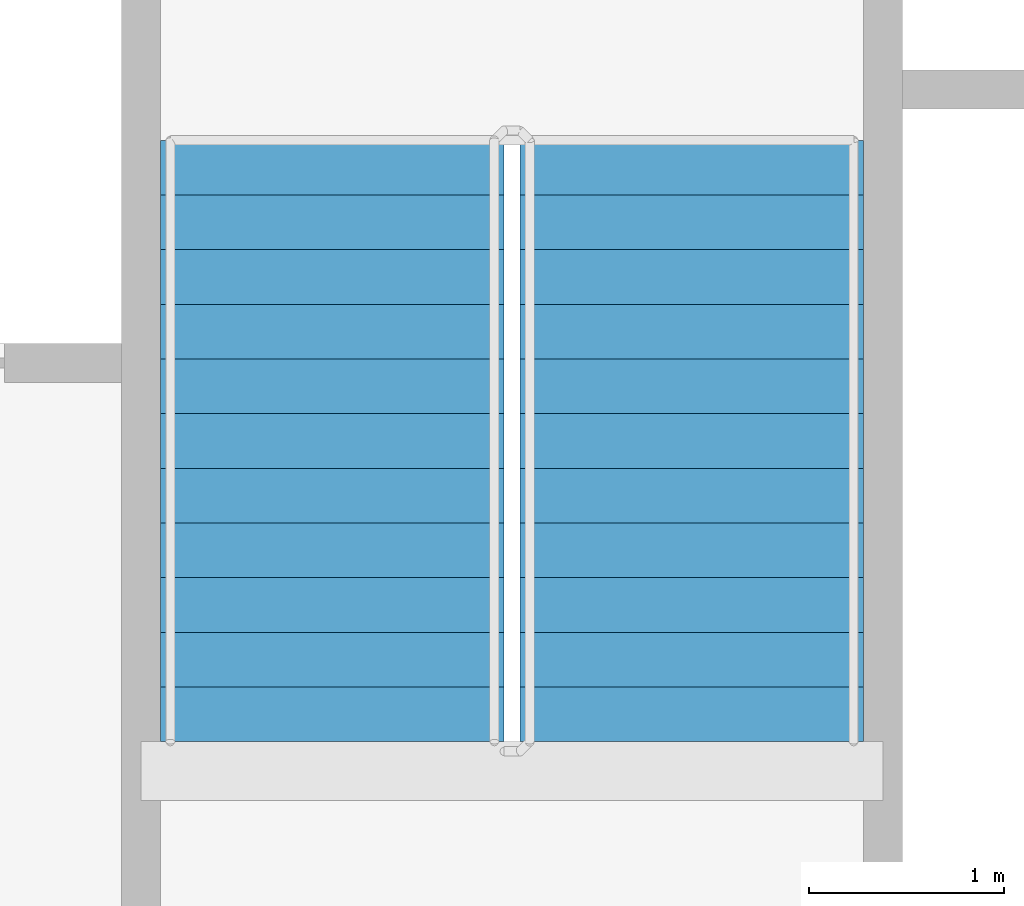
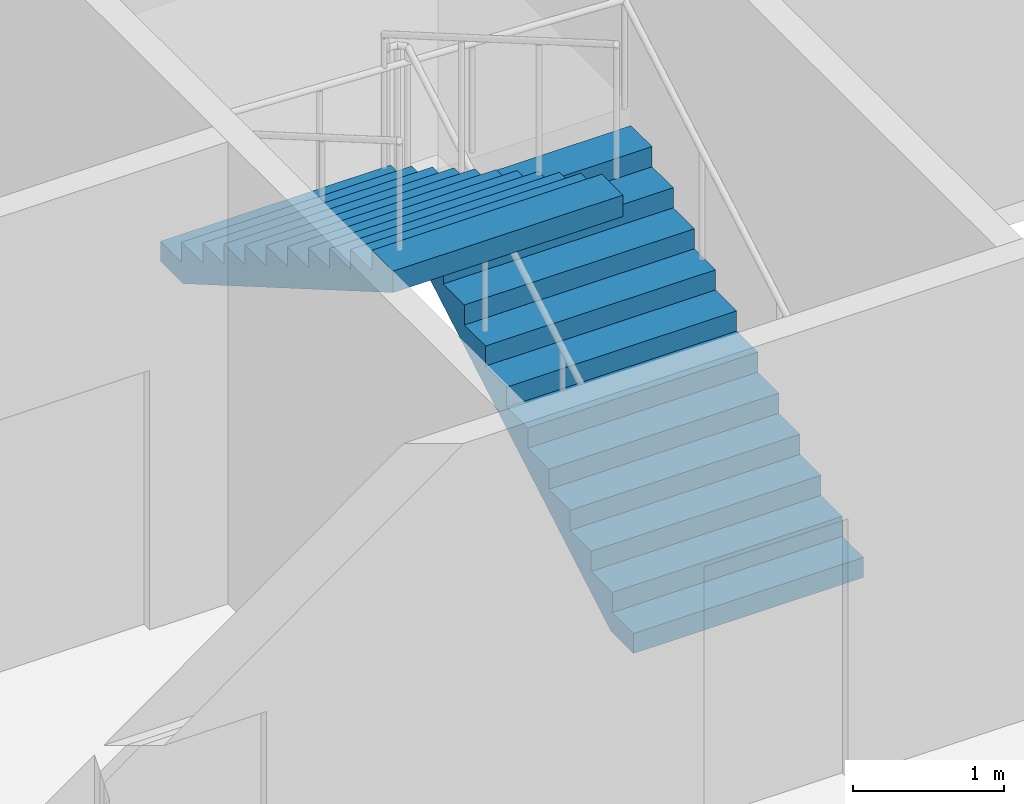
# One storey, part 17 of 22: 2 stair flights, 1 element without a shape of its own.
"""IFC4 building model written with IfcOpenShell, lengths in metres."""

from ifc_helpers import new_model, si_unit, direction, frame, origin, place, context, subcontext, project, spatial, faceted_brep, material, type_object, element, aggregate, save


model = new_model("IFC4")

# Units and contexts
model_context = context("Model", 3, precision=1e-05, world=origin(), true_north=direction((0.0, 1.0)))
body_context = subcontext(model_context, "Body", "Model", "MODEL_VIEW")
ifc_project = project(units=[si_unit("LENGTHUNIT", "METRE"), si_unit("AREAUNIT", "SQUARE_METRE"), si_unit("VOLUMEUNIT", "CUBIC_METRE"), si_unit("PLANEANGLEUNIT", "RADIAN"), si_unit("MASSUNIT", "GRAM", prefix="KILO")], contexts=[model_context])

# Site, building, storey
site_placement = place(None, origin())
site = spatial("IfcSite", under=ifc_project, at=site_placement, CompositionType="ELEMENT")
building_placement = place(site_placement, origin())
building = spatial("IfcBuilding", under=site, at=building_placement, Name="Tarsis Ring Headquarters", CompositionType="ELEMENT")
storey_placement = place(building_placement, frame((0.0, 0.0, 270.800048828125)))
storey = spatial("IfcBuildingStorey", under=building, at=storey_placement, Name="L63", CompositionType="ELEMENT", Elevation=270.800048828125)

# Stair, stair flights
ifc_material_1 = material(Name="Core stair 1760")
stair_type = type_object("IfcStairType", Name="Core stair 1760", PredefinedType="HALF_TURN_STAIR", material=ifc_material_1)
stair_placement = place(storey_placement, origin())
stair = element("IfcStair", 1, at=stair_placement, inside=storey, type_object=stair_type, Name="L63 Exit stair B", PredefinedType="HALF_TURN_STAIR")
ifc_material_2 = material(Name="Concrete C40/50", Category="concrete")
stair_flight_type = type_object("IfcStairFlightType", Name="Core stair flight 1760", PredefinedType="STRAIGHT", material=ifc_material_2)
stair_flight_1_placement = place(storey_placement, frame((5.419921875, 3.659912109375, 0.0), z_axis=(0.0, 0.0, 1.0), x_axis=(0.0, 1.0, 0.0)))
stair_flight_1 = element("IfcStairFlight", 2, at=stair_flight_1_placement, type_object=stair_flight_type, Name="Stair ST2 flight 1", NumberOfRisers=12, NumberOfTreads=11, PredefinedType="STRAIGHT", RiserHeight=0.1625, TreadLength=0.28, context=body_context, shape_type="Brep", body=[
    faceted_brep([(0.0, 0.8798828125, 0.0), (0.0, 0.8798828125, 0.16259765625), (0.280029296875, 0.8798828125, 0.16259765625), (0.280029296875, 0.8798828125, 0.324951171875), (0.56005859375, 0.8798828125, 0.324951171875), (0.56005859375, 0.8798828125, 0.487548828125), (0.840087890625, 0.8798828125, 0.487548828125), (0.840087890625, 0.8798828125, 0.64990234375), (1.1201171875, 0.8798828125, 0.64990234375), (1.1201171875, 0.8798828125, 0.8125), (1.39990234375, 0.8798828125, 0.8125), (1.39990234375, 0.8798828125, 0.97509765625), (1.679931640625, 0.8798828125, 0.97509765625), (1.679931640625, 0.8798828125, 1.137451171875), (1.9599609375, 0.8798828125, 1.137451171875), (1.9599609375, 0.8798828125, 1.300048828125), (2.239990234375, 0.8798828125, 1.300048828125), (2.239990234375, 0.8798828125, 1.46240234375), (2.52001953125, 0.8798828125, 1.46240234375), (2.52001953125, 0.8798828125, 1.625), (2.800048828125, 0.8798828125, 1.625), (2.800048828125, 0.8798828125, 1.78759765625), (3.080078125, 0.8798828125, 1.78759765625), (3.080078125, 0.8798828125, 1.6142578125), (0.298583984375, 0.8798828125, 0.0), (0.298583984375, -0.8798828125, 0.0), (3.080078125, -0.8798828125, 1.6142578125), (3.080078125, -0.8798828125, 1.78759765625), (2.800048828125, -0.8798828125, 1.78759765625), (2.800048828125, -0.8798828125, 1.625), (2.52001953125, -0.8798828125, 1.625), (2.52001953125, -0.8798828125, 1.46240234375), (2.239990234375, -0.8798828125, 1.46240234375), (2.239990234375, -0.8798828125, 1.300048828125), (1.9599609375, -0.8798828125, 1.300048828125), (1.9599609375, -0.8798828125, 1.137451171875), (1.679931640625, -0.8798828125, 1.137451171875), (1.679931640625, -0.8798828125, 0.97509765625), (1.39990234375, -0.8798828125, 0.97509765625), (1.39990234375, -0.8798828125, 0.8125), (1.1201171875, -0.8798828125, 0.8125), (1.1201171875, -0.8798828125, 0.64990234375), (0.840087890625, -0.8798828125, 0.64990234375), (0.840087890625, -0.8798828125, 0.487548828125), (0.56005859375, -0.8798828125, 0.487548828125), (0.56005859375, -0.8798828125, 0.324951171875), (0.280029296875, -0.8798828125, 0.324951171875), (0.280029296875, -0.8798828125, 0.16259765625), (0.0, -0.8798828125, 0.16259765625), (0.0, -0.8798828125, 0.0), (0.0, -0.43994140625, 0.16259765625), (0.0, -0.43994140625, 0.0), (0.0, 0.0, 0.16259765625), (0.0, 0.0, 0.0), (0.0, 0.43994140625, 0.16259765625), (0.0, 0.43994140625, 0.0), (0.280029296875, -0.43994140625, 0.16259765625), (0.280029296875, 0.0, 0.16259765625), (0.280029296875, 0.43994140625, 0.16259765625), (0.280029296875, -0.43994140625, 0.324951171875), (0.280029296875, 0.0, 0.324951171875), (0.280029296875, 0.43994140625, 0.324951171875), (0.56005859375, -0.43994140625, 0.324951171875), (0.56005859375, 0.0, 0.324951171875), (0.56005859375, 0.43994140625, 0.324951171875), (0.56005859375, -0.43994140625, 0.487548828125), (0.56005859375, 0.0, 0.487548828125), (0.56005859375, 0.43994140625, 0.487548828125), (0.840087890625, -0.43994140625, 0.487548828125), (0.840087890625, 0.0, 0.487548828125), (0.840087890625, 0.43994140625, 0.487548828125), (0.840087890625, -0.43994140625, 0.64990234375), (0.840087890625, 0.0, 0.64990234375), (0.840087890625, 0.43994140625, 0.64990234375), (1.1201171875, -0.43994140625, 0.64990234375), (1.1201171875, 0.0, 0.64990234375), (1.1201171875, 0.43994140625, 0.64990234375), (1.1201171875, -0.43994140625, 0.8125), (1.1201171875, 0.0, 0.8125), (1.1201171875, 0.43994140625, 0.8125), (1.39990234375, -0.43994140625, 0.8125), (1.39990234375, 0.0, 0.8125), (1.39990234375, 0.43994140625, 0.8125), (1.39990234375, -0.43994140625, 0.97509765625), (1.39990234375, 0.0, 0.97509765625), (1.39990234375, 0.43994140625, 0.97509765625), (1.679931640625, -0.43994140625, 0.97509765625), (1.679931640625, 0.0, 0.97509765625), (1.679931640625, 0.43994140625, 0.97509765625), (1.679931640625, -0.43994140625, 1.137451171875), (1.679931640625, 0.0, 1.137451171875), (1.679931640625, 0.43994140625, 1.137451171875), (1.9599609375, -0.43994140625, 1.137451171875), (1.9599609375, 0.0, 1.137451171875), (1.9599609375, 0.43994140625, 1.137451171875), (1.9599609375, -0.43994140625, 1.300048828125), (1.9599609375, 0.0, 1.300048828125), (1.9599609375, 0.43994140625, 1.300048828125), (2.239990234375, -0.43994140625, 1.300048828125), (2.239990234375, 0.0, 1.300048828125), (2.239990234375, 0.43994140625, 1.300048828125), (2.239990234375, -0.43994140625, 1.46240234375), (2.239990234375, 0.0, 1.46240234375), (2.239990234375, 0.43994140625, 1.46240234375), (2.52001953125, -0.43994140625, 1.46240234375), (2.52001953125, 0.0, 1.46240234375), (2.52001953125, 0.43994140625, 1.46240234375), (2.52001953125, -0.43994140625, 1.625), (2.52001953125, 0.0, 1.625), (2.52001953125, 0.43994140625, 1.625), (2.800048828125, -0.43994140625, 1.625), (2.800048828125, 0.0, 1.625), (2.800048828125, 0.43994140625, 1.625), (2.800048828125, -0.43994140625, 1.78759765625), (2.800048828125, 0.0, 1.78759765625), (2.800048828125, 0.43994140625, 1.78759765625), (3.080078125, -0.43994140625, 1.78759765625), (3.080078125, 0.0, 1.78759765625), (3.080078125, 0.43994140625, 1.78759765625), (3.080078125, -0.43994140625, 1.6142578125), (3.080078125, 0.0, 1.6142578125), (3.080078125, 0.43994140625, 1.6142578125), (0.298583984375, -0.43994140625, 0.0), (0.298583984375, 0.0, 0.0), (0.298583984375, 0.43994140625, 0.0)], [[[0, 1, 2, 3, 4, 5, 6, 7, 8, 9, 10, 11, 12, 13, 14, 15, 16, 17, 18, 19, 20, 21, 22, 23, 24]], [[25, 26, 27, 28, 29, 30, 31, 32, 33, 34, 35, 36, 37, 38, 39, 40, 41, 42, 43, 44, 45, 46, 47, 48, 49]], [[49, 48, 50, 51]], [[51, 50, 52, 53]], [[53, 52, 54, 55]], [[55, 54, 1, 0]], [[48, 47, 56, 50]], [[50, 56, 57, 52]], [[52, 57, 58, 54]], [[54, 58, 2, 1]], [[47, 46, 59, 56]], [[56, 59, 60, 57]], [[57, 60, 61, 58]], [[58, 61, 3, 2]], [[46, 45, 62, 59]], [[59, 62, 63, 60]], [[60, 63, 64, 61]], [[61, 64, 4, 3]], [[45, 44, 65, 62]], [[62, 65, 66, 63]], [[63, 66, 67, 64]], [[64, 67, 5, 4]], [[44, 43, 68, 65]], [[65, 68, 69, 66]], [[66, 69, 70, 67]], [[67, 70, 6, 5]], [[43, 42, 71, 68]], [[68, 71, 72, 69]], [[69, 72, 73, 70]], [[70, 73, 7, 6]], [[42, 41, 74, 71]], [[71, 74, 75, 72]], [[72, 75, 76, 73]], [[73, 76, 8, 7]], [[41, 40, 77, 74]], [[74, 77, 78, 75]], [[75, 78, 79, 76]], [[76, 79, 9, 8]], [[40, 39, 80, 77]], [[77, 80, 81, 78]], [[78, 81, 82, 79]], [[79, 82, 10, 9]], [[39, 38, 83, 80]], [[80, 83, 84, 81]], [[81, 84, 85, 82]], [[82, 85, 11, 10]], [[38, 37, 86, 83]], [[83, 86, 87, 84]], [[84, 87, 88, 85]], [[85, 88, 12, 11]], [[37, 36, 89, 86]], [[86, 89, 90, 87]], [[87, 90, 91, 88]], [[88, 91, 13, 12]], [[36, 35, 92, 89]], [[89, 92, 93, 90]], [[90, 93, 94, 91]], [[91, 94, 14, 13]], [[35, 34, 95, 92]], [[92, 95, 96, 93]], [[93, 96, 97, 94]], [[94, 97, 15, 14]], [[34, 33, 98, 95]], [[95, 98, 99, 96]], [[96, 99, 100, 97]], [[97, 100, 16, 15]], [[33, 32, 101, 98]], [[98, 101, 102, 99]], [[99, 102, 103, 100]], [[100, 103, 17, 16]], [[32, 31, 104, 101]], [[101, 104, 105, 102]], [[102, 105, 106, 103]], [[103, 106, 18, 17]], [[31, 30, 107, 104]], [[104, 107, 108, 105]], [[105, 108, 109, 106]], [[106, 109, 19, 18]], [[30, 29, 110, 107]], [[107, 110, 111, 108]], [[108, 111, 112, 109]], [[109, 112, 20, 19]], [[29, 28, 113, 110]], [[110, 113, 114, 111]], [[111, 114, 115, 112]], [[112, 115, 21, 20]], [[28, 27, 116, 113]], [[113, 116, 117, 114]], [[114, 117, 118, 115]], [[115, 118, 22, 21]], [[27, 26, 119, 116]], [[116, 119, 120, 117]], [[117, 120, 121, 118]], [[118, 121, 23, 22]], [[26, 25, 122, 119]], [[119, 122, 123, 120]], [[120, 123, 124, 121]], [[121, 124, 24, 23]], [[25, 49, 51, 122]], [[122, 51, 53, 123]], [[123, 53, 55, 124]], [[124, 55, 0, 24]]]),
])
stair_flight_2_placement = place(storey_placement, frame((3.580078125, 6.739990234375, 1.949951171875), z_axis=(0.0, 0.0, 1.0), x_axis=(0.0, -1.0, 0.0)))
stair_flight_2 = element("IfcStairFlight", 3, at=stair_flight_2_placement, type_object=stair_flight_type, Name="Stair ST2 flight 2", NumberOfRisers=12, NumberOfTreads=11, PredefinedType="STRAIGHT", RiserHeight=0.1625, TreadLength=0.28, context=body_context, shape_type="Brep", body=[
    faceted_brep([(0.0, 0.8798828125, 0.0), (0.0, 0.8798828125, 0.16259765625), (0.280029296875, 0.8798828125, 0.16259765625), (0.280029296875, 0.8798828125, 0.324951171875), (0.56005859375, 0.8798828125, 0.324951171875), (0.56005859375, 0.8798828125, 0.487548828125), (0.840087890625, 0.8798828125, 0.487548828125), (0.840087890625, 0.8798828125, 0.64990234375), (1.1201171875, 0.8798828125, 0.64990234375), (1.1201171875, 0.8798828125, 0.8125), (1.39990234375, 0.8798828125, 0.8125), (1.39990234375, 0.8798828125, 0.97509765625), (1.679931640625, 0.8798828125, 0.97509765625), (1.679931640625, 0.8798828125, 1.137451171875), (1.9599609375, 0.8798828125, 1.137451171875), (1.9599609375, 0.8798828125, 1.300048828125), (2.239990234375, 0.8798828125, 1.300048828125), (2.239990234375, 0.8798828125, 1.46240234375), (2.52001953125, 0.8798828125, 1.46240234375), (2.52001953125, 0.8798828125, 1.625), (2.800048828125, 0.8798828125, 1.625), (2.800048828125, 0.8798828125, 1.78759765625), (3.080078125, 0.8798828125, 1.78759765625), (3.080078125, 0.8798828125, 1.6142578125), (0.298583984375, 0.8798828125, 0.0), (0.298583984375, -0.8798828125, 0.0), (3.080078125, -0.8798828125, 1.6142578125), (3.080078125, -0.8798828125, 1.78759765625), (2.800048828125, -0.8798828125, 1.78759765625), (2.800048828125, -0.8798828125, 1.625), (2.52001953125, -0.8798828125, 1.625), (2.52001953125, -0.8798828125, 1.46240234375), (2.239990234375, -0.8798828125, 1.46240234375), (2.239990234375, -0.8798828125, 1.300048828125), (1.9599609375, -0.8798828125, 1.300048828125), (1.9599609375, -0.8798828125, 1.137451171875), (1.679931640625, -0.8798828125, 1.137451171875), (1.679931640625, -0.8798828125, 0.97509765625), (1.39990234375, -0.8798828125, 0.97509765625), (1.39990234375, -0.8798828125, 0.8125), (1.1201171875, -0.8798828125, 0.8125), (1.1201171875, -0.8798828125, 0.64990234375), (0.840087890625, -0.8798828125, 0.64990234375), (0.840087890625, -0.8798828125, 0.487548828125), (0.56005859375, -0.8798828125, 0.487548828125), (0.56005859375, -0.8798828125, 0.324951171875), (0.280029296875, -0.8798828125, 0.324951171875), (0.280029296875, -0.8798828125, 0.16259765625), (0.0, -0.8798828125, 0.16259765625), (0.0, -0.8798828125, 0.0), (0.0, -0.43994140625, 0.16259765625), (0.0, -0.43994140625, 0.0), (0.0, 0.0, 0.16259765625), (0.0, 0.0, 0.0), (0.0, 0.43994140625, 0.16259765625), (0.0, 0.43994140625, 0.0), (0.280029296875, -0.43994140625, 0.16259765625), (0.280029296875, 0.0, 0.16259765625), (0.280029296875, 0.43994140625, 0.16259765625), (0.280029296875, -0.43994140625, 0.324951171875), (0.280029296875, 0.0, 0.324951171875), (0.280029296875, 0.43994140625, 0.324951171875), (0.56005859375, -0.43994140625, 0.324951171875), (0.56005859375, 0.0, 0.324951171875), (0.56005859375, 0.43994140625, 0.324951171875), (0.56005859375, -0.43994140625, 0.487548828125), (0.56005859375, 0.0, 0.487548828125), (0.56005859375, 0.43994140625, 0.487548828125), (0.840087890625, -0.43994140625, 0.487548828125), (0.840087890625, 0.0, 0.487548828125), (0.840087890625, 0.43994140625, 0.487548828125), (0.840087890625, -0.43994140625, 0.64990234375), (0.840087890625, 0.0, 0.64990234375), (0.840087890625, 0.43994140625, 0.64990234375), (1.1201171875, -0.43994140625, 0.64990234375), (1.1201171875, 0.0, 0.64990234375), (1.1201171875, 0.43994140625, 0.64990234375), (1.1201171875, -0.43994140625, 0.8125), (1.1201171875, 0.0, 0.8125), (1.1201171875, 0.43994140625, 0.8125), (1.39990234375, -0.43994140625, 0.8125), (1.39990234375, 0.0, 0.8125), (1.39990234375, 0.43994140625, 0.8125), (1.39990234375, -0.43994140625, 0.97509765625), (1.39990234375, 0.0, 0.97509765625), (1.39990234375, 0.43994140625, 0.97509765625), (1.679931640625, -0.43994140625, 0.97509765625), (1.679931640625, 0.0, 0.97509765625), (1.679931640625, 0.43994140625, 0.97509765625), (1.679931640625, -0.43994140625, 1.137451171875), (1.679931640625, 0.0, 1.137451171875), (1.679931640625, 0.43994140625, 1.137451171875), (1.9599609375, -0.43994140625, 1.137451171875), (1.9599609375, 0.0, 1.137451171875), (1.9599609375, 0.43994140625, 1.137451171875), (1.9599609375, -0.43994140625, 1.300048828125), (1.9599609375, 0.0, 1.300048828125), (1.9599609375, 0.43994140625, 1.300048828125), (2.239990234375, -0.43994140625, 1.300048828125), (2.239990234375, 0.0, 1.300048828125), (2.239990234375, 0.43994140625, 1.300048828125), (2.239990234375, -0.43994140625, 1.46240234375), (2.239990234375, 0.0, 1.46240234375), (2.239990234375, 0.43994140625, 1.46240234375), (2.52001953125, -0.43994140625, 1.46240234375), (2.52001953125, 0.0, 1.46240234375), (2.52001953125, 0.43994140625, 1.46240234375), (2.52001953125, -0.43994140625, 1.625), (2.52001953125, 0.0, 1.625), (2.52001953125, 0.43994140625, 1.625), (2.800048828125, -0.43994140625, 1.625), (2.800048828125, 0.0, 1.625), (2.800048828125, 0.43994140625, 1.625), (2.800048828125, -0.43994140625, 1.78759765625), (2.800048828125, 0.0, 1.78759765625), (2.800048828125, 0.43994140625, 1.78759765625), (3.080078125, -0.43994140625, 1.78759765625), (3.080078125, 0.0, 1.78759765625), (3.080078125, 0.43994140625, 1.78759765625), (3.080078125, -0.43994140625, 1.6142578125), (3.080078125, 0.0, 1.6142578125), (3.080078125, 0.43994140625, 1.6142578125), (0.298583984375, -0.43994140625, 0.0), (0.298583984375, 0.0, 0.0), (0.298583984375, 0.43994140625, 0.0)], [[[0, 1, 2, 3, 4, 5, 6, 7, 8, 9, 10, 11, 12, 13, 14, 15, 16, 17, 18, 19, 20, 21, 22, 23, 24]], [[25, 26, 27, 28, 29, 30, 31, 32, 33, 34, 35, 36, 37, 38, 39, 40, 41, 42, 43, 44, 45, 46, 47, 48, 49]], [[49, 48, 50, 51]], [[51, 50, 52, 53]], [[53, 52, 54, 55]], [[55, 54, 1, 0]], [[48, 47, 56, 50]], [[50, 56, 57, 52]], [[52, 57, 58, 54]], [[54, 58, 2, 1]], [[47, 46, 59, 56]], [[56, 59, 60, 57]], [[57, 60, 61, 58]], [[58, 61, 3, 2]], [[46, 45, 62, 59]], [[59, 62, 63, 60]], [[60, 63, 64, 61]], [[61, 64, 4, 3]], [[45, 44, 65, 62]], [[62, 65, 66, 63]], [[63, 66, 67, 64]], [[64, 67, 5, 4]], [[44, 43, 68, 65]], [[65, 68, 69, 66]], [[66, 69, 70, 67]], [[67, 70, 6, 5]], [[43, 42, 71, 68]], [[68, 71, 72, 69]], [[69, 72, 73, 70]], [[70, 73, 7, 6]], [[42, 41, 74, 71]], [[71, 74, 75, 72]], [[72, 75, 76, 73]], [[73, 76, 8, 7]], [[41, 40, 77, 74]], [[74, 77, 78, 75]], [[75, 78, 79, 76]], [[76, 79, 9, 8]], [[40, 39, 80, 77]], [[77, 80, 81, 78]], [[78, 81, 82, 79]], [[79, 82, 10, 9]], [[39, 38, 83, 80]], [[80, 83, 84, 81]], [[81, 84, 85, 82]], [[82, 85, 11, 10]], [[38, 37, 86, 83]], [[83, 86, 87, 84]], [[84, 87, 88, 85]], [[85, 88, 12, 11]], [[37, 36, 89, 86]], [[86, 89, 90, 87]], [[87, 90, 91, 88]], [[88, 91, 13, 12]], [[36, 35, 92, 89]], [[89, 92, 93, 90]], [[90, 93, 94, 91]], [[91, 94, 14, 13]], [[35, 34, 95, 92]], [[92, 95, 96, 93]], [[93, 96, 97, 94]], [[94, 97, 15, 14]], [[34, 33, 98, 95]], [[95, 98, 99, 96]], [[96, 99, 100, 97]], [[97, 100, 16, 15]], [[33, 32, 101, 98]], [[98, 101, 102, 99]], [[99, 102, 103, 100]], [[100, 103, 17, 16]], [[32, 31, 104, 101]], [[101, 104, 105, 102]], [[102, 105, 106, 103]], [[103, 106, 18, 17]], [[31, 30, 107, 104]], [[104, 107, 108, 105]], [[105, 108, 109, 106]], [[106, 109, 19, 18]], [[30, 29, 110, 107]], [[107, 110, 111, 108]], [[108, 111, 112, 109]], [[109, 112, 20, 19]], [[29, 28, 113, 110]], [[110, 113, 114, 111]], [[111, 114, 115, 112]], [[112, 115, 21, 20]], [[28, 27, 116, 113]], [[113, 116, 117, 114]], [[114, 117, 118, 115]], [[115, 118, 22, 21]], [[27, 26, 119, 116]], [[116, 119, 120, 117]], [[117, 120, 121, 118]], [[118, 121, 23, 22]], [[26, 25, 122, 119]], [[119, 122, 123, 120]], [[120, 123, 124, 121]], [[121, 124, 24, 23]], [[25, 49, 51, 122]], [[122, 51, 53, 123]], [[123, 53, 55, 124]], [[124, 55, 0, 24]]]),
])
aggregate(stair, [stair_flight_1, stair_flight_2])

save(model, "model.ifc")
